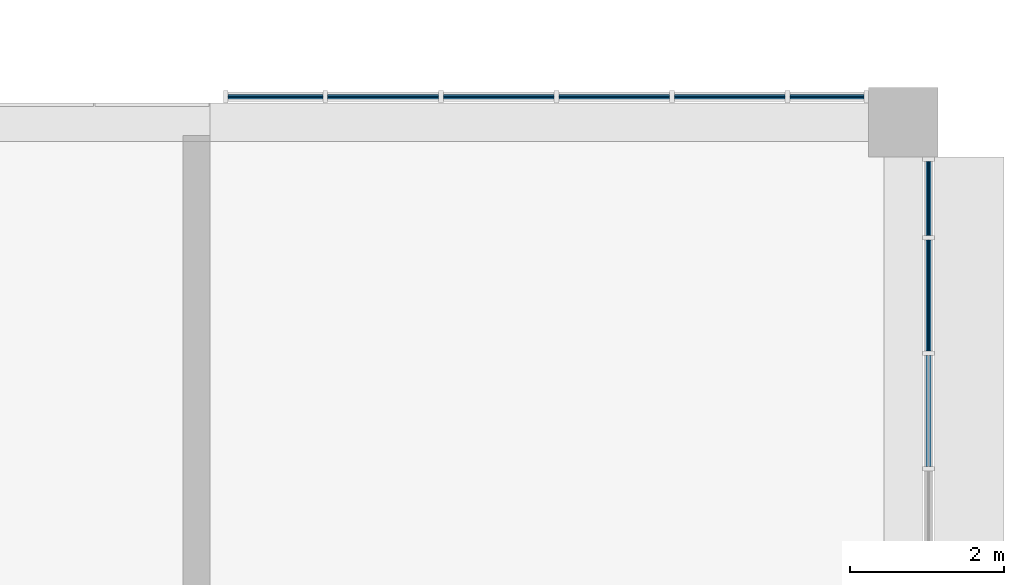
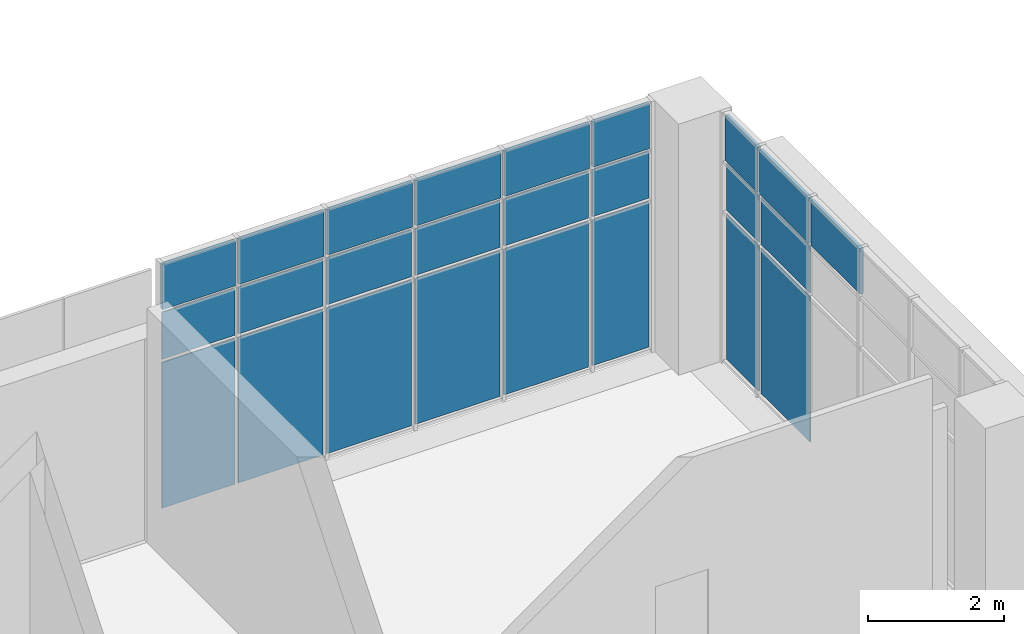
# One storey, part 25 of 45: 25 plates, 2 elements without a shape of their own.
"""IFC4 building model written with IfcOpenShell, lengths in metres."""

from ifc_helpers import new_model, si_unit, direction, frame, origin, origin_2d, place, context, subcontext, project, spatial, rectangle, extrude, material, layer, layer_set, type_object, element, aggregate, save


model = new_model("IFC4")

# Units and contexts
model_context = context("Model", 3, precision=1e-05, world=origin(), true_north=direction((0.0, 1.0)))
body_context = subcontext(model_context, "Body", "Model", "MODEL_VIEW")
ifc_project = project(units=[si_unit("LENGTHUNIT", "METRE"), si_unit("AREAUNIT", "SQUARE_METRE"), si_unit("VOLUMEUNIT", "CUBIC_METRE"), si_unit("PLANEANGLEUNIT", "RADIAN"), si_unit("MASSUNIT", "GRAM", prefix="KILO")], contexts=[model_context])

# Site, building, storey
site_placement = place(None, origin())
site = spatial("IfcSite", under=ifc_project, at=site_placement, CompositionType="ELEMENT")
building_placement = place(site_placement, origin())
building = spatial("IfcBuilding", under=site, at=building_placement, Name="Guidao Yard Department Store", CompositionType="ELEMENT")
storey_placement = place(building_placement, frame((0.0, 0.0, 19.5)))
storey = spatial("IfcBuildingStorey", under=building, at=storey_placement, Name="L04", CompositionType="ELEMENT", Elevation=19.5)

# Curtain wall, plates
ifc_material_1 = material(Name="Aluminium and glass", Category="aluminium")
ifc_layer_1 = layer(ifc_material_1, 0.159912109375)
ifc_layer_set_1 = layer_set([ifc_layer_1], Name="Unitised curtain wall CW4 1500 module")
curtain_wall_type = type_object("IfcCurtainWallType", Name="Unitised curtain wall CW4 1500 module", PredefinedType="NOTDEFINED", material=ifc_layer_set_1)
curtain_wall_1_placement = place(storey_placement, origin())
curtain_wall_1 = element("IfcCurtainWall", 1, at=curtain_wall_1_placement, inside=storey, type_object=curtain_wall_type, Name="Unitised curtain wall", PredefinedType="NOTDEFINED")
ifc_material_2 = material(Name="Aluminium 6063-T5 faced insulated spandrel", Category="aluminium")
ifc_layer_2 = layer(ifc_material_2, 0.06005859375)
ifc_layer_set_2 = layer_set([ifc_layer_2], Name="Spandrel panel SP1 insulated opaque")
plate_type_1 = type_object("IfcPlateType", Name="Spandrel panel SP1 insulated opaque", PredefinedType="CURTAIN_PANEL", material=ifc_layer_set_2)
plate_1_placement = place(storey_placement, frame((162.8525390625, 27.330078125, 3.6298828125), z_axis=(0.0, 0.0, 1.0), x_axis=(1.0, 0.0, 0.0)))
plate_1 = element("IfcPlate", 2, at=plate_1_placement, type_object=plate_type_1, Name="CW-OW-L04-08 panel 1.3", PredefinedType="CURTAIN_PANEL", context=body_context, shape_type="SweptSolid", body=[
    extrude(rectangle(XDim=1.235107421875, YDim=0.06005859375, at=origin_2d()), origin(), (0.0, 0.0, 1.0), 0.81005859375),
])
plate_2_placement = place(storey_placement, frame((164.25, 27.330078125, 3.6298828125), z_axis=(0.0, 0.0, 1.0), x_axis=(1.0, 0.0, 0.0)))
plate_2 = element("IfcPlate", 3, at=plate_2_placement, type_object=plate_type_1, Name="CW-OW-L04-08 panel 2.3", PredefinedType="CURTAIN_PANEL", context=body_context, shape_type="SweptSolid", body=[
    extrude(rectangle(XDim=1.43994140625, YDim=0.06005859375, at=origin_2d()), origin(), (0.0, 0.0, 1.0), 0.81005859375),
])
plate_3_placement = place(storey_placement, frame((165.75, 27.330078125, 3.6298828125), z_axis=(0.0, 0.0, 1.0), x_axis=(1.0, 0.0, 0.0)))
plate_3 = element("IfcPlate", 4, at=plate_3_placement, type_object=plate_type_1, Name="CW-OW-L04-08 panel 3.3", PredefinedType="CURTAIN_PANEL", context=body_context, shape_type="SweptSolid", body=[
    extrude(rectangle(XDim=1.43994140625, YDim=0.06005859375, at=origin_2d()), origin(), (0.0, 0.0, 1.0), 0.81005859375),
])
plate_4_placement = place(storey_placement, frame((167.25, 27.330078125, 3.6298828125), z_axis=(0.0, 0.0, 1.0), x_axis=(1.0, 0.0, 0.0)))
plate_4 = element("IfcPlate", 5, at=plate_4_placement, type_object=plate_type_1, Name="CW-OW-L04-08 panel 4.3", PredefinedType="CURTAIN_PANEL", context=body_context, shape_type="SweptSolid", body=[
    extrude(rectangle(XDim=1.43994140625, YDim=0.06005859375, at=origin_2d()), origin(), (0.0, 0.0, 1.0), 0.81005859375),
])
plate_5_placement = place(storey_placement, frame((168.75, 27.330078125, 3.6298828125), z_axis=(0.0, 0.0, 1.0), x_axis=(1.0, 0.0, 0.0)))
plate_5 = element("IfcPlate", 6, at=plate_5_placement, type_object=plate_type_1, Name="CW-OW-L04-08 panel 5.3", PredefinedType="CURTAIN_PANEL", context=body_context, shape_type="SweptSolid", body=[
    extrude(rectangle(XDim=1.43994140625, YDim=0.06005859375, at=origin_2d()), origin(), (0.0, 0.0, 1.0), 0.81005859375),
])
plate_6_placement = place(storey_placement, frame((170.010009765625, 27.330078125, 3.6298828125), z_axis=(0.0, 0.0, 1.0), x_axis=(1.0, 0.0, 0.0)))
plate_6 = element("IfcPlate", 7, at=plate_6_placement, type_object=plate_type_1, Name="CW-OW-L04-08 panel 6.3", PredefinedType="CURTAIN_PANEL", context=body_context, shape_type="SweptSolid", body=[
    extrude(rectangle(XDim=0.9599609375, YDim=0.06005859375, at=origin_2d()), origin(), (0.0, 0.0, 1.0), 0.81005859375),
])

curtain_wall_2_placement = place(storey_placement, origin())
curtain_wall_2 = element("IfcCurtainWall", 8, at=curtain_wall_2_placement, inside=storey, type_object=curtain_wall_type, Name="Unitised curtain wall", PredefinedType="NOTDEFINED")
plate_7_placement = place(storey_placement, frame((171.330078125, 23.25, 3.6298828125), z_axis=(0.0, 0.0, 1.0), x_axis=(0.0, -1.0, 0.0)))
plate_7 = element("IfcPlate", 9, at=plate_7_placement, type_object=plate_type_1, Name="CW-OW-L04-11 panel 4.3", PredefinedType="CURTAIN_PANEL", context=body_context, shape_type="SweptSolid", body=[
    extrude(rectangle(XDim=1.43994140625, YDim=0.06005859375, at=origin_2d()), origin(), (0.0, 0.0, 1.0), 0.81005859375),
])
plate_8_placement = place(storey_placement, frame((171.330078125, 24.75, 3.6298828125), z_axis=(0.0, 0.0, 1.0), x_axis=(0.0, -1.0, 0.0)))
plate_8 = element("IfcPlate", 10, at=plate_8_placement, type_object=plate_type_1, Name="CW-OW-L04-11 panel 5.3", PredefinedType="CURTAIN_PANEL", context=body_context, shape_type="SweptSolid", body=[
    extrude(rectangle(XDim=1.43994140625, YDim=0.06005859375, at=origin_2d()), origin(), (0.0, 0.0, 1.0), 0.81005859375),
])
plate_9_placement = place(storey_placement, frame((171.330078125, 26.010009765625, 3.6298828125), z_axis=(0.0, 0.0, 1.0), x_axis=(0.0, -1.0, 0.0)))
plate_9 = element("IfcPlate", 11, at=plate_9_placement, type_object=plate_type_1, Name="CW-OW-L04-11 panel 6.3", PredefinedType="CURTAIN_PANEL", context=body_context, shape_type="SweptSolid", body=[
    extrude(rectangle(XDim=0.9599609375, YDim=0.06005859375, at=origin_2d()), origin(), (0.0, 0.0, 1.0), 0.81005859375),
])

# Plate
ifc_material_3 = material(Name="Laminated heat-soaked tempered glass", Category="glass")
ifc_layer_3 = layer(ifc_material_3, 0.017578125)
ifc_layer_set_3 = layer_set([ifc_layer_3], Name="Vision glass VG1 laminated heat-soaked tempered 8+8")
plate_type_2 = type_object("IfcPlateType", Name="Vision glass VG1 laminated heat-soaked tempered 8+8", PredefinedType="CURTAIN_PANEL", material=ifc_layer_set_3)
plate_10_placement = place(storey_placement, frame((162.8525390625, 27.330078125, 0.06005859375), z_axis=(0.0, 0.0, 1.0), x_axis=(1.0, 0.0, 0.0)))
plate_10 = element("IfcPlate", 12, at=plate_10_placement, type_object=plate_type_2, Name="CW-OW-L04-08 panel 1.1", PredefinedType="CURTAIN_PANEL", context=body_context, shape_type="SweptSolid", body=[
    extrude(rectangle(XDim=1.235107421875, YDim=0.017578125, at=origin_2d()), origin(), (0.0, 0.0, 1.0), 2.610107421875),
])

plate_11_placement = place(storey_placement, frame((162.8525390625, 27.330078125, 2.72998046875), z_axis=(0.0, 0.0, 1.0), x_axis=(1.0, 0.0, 0.0)))
plate_11 = element("IfcPlate", 13, at=plate_11_placement, type_object=plate_type_2, Name="CW-OW-L04-08 panel 1.2", PredefinedType="CURTAIN_PANEL", context=body_context, shape_type="SweptSolid", body=[
    extrude(rectangle(XDim=1.235107421875, YDim=0.017578125, at=origin_2d()), origin(), (0.0, 0.0, 1.0), 0.840087890625),
])

plate_12_placement = place(storey_placement, frame((164.25, 27.330078125, 0.06005859375), z_axis=(0.0, 0.0, 1.0), x_axis=(1.0, 0.0, 0.0)))
plate_12 = element("IfcPlate", 14, at=plate_12_placement, type_object=plate_type_2, Name="CW-OW-L04-08 panel 2.1", PredefinedType="CURTAIN_PANEL", context=body_context, shape_type="SweptSolid", body=[
    extrude(rectangle(XDim=1.43994140625, YDim=0.017578125, at=origin_2d()), origin(), (0.0, 0.0, 1.0), 2.610107421875),
])

plate_13_placement = place(storey_placement, frame((164.25, 27.330078125, 2.72998046875), z_axis=(0.0, 0.0, 1.0), x_axis=(1.0, 0.0, 0.0)))
plate_13 = element("IfcPlate", 15, at=plate_13_placement, type_object=plate_type_2, Name="CW-OW-L04-08 panel 2.2", PredefinedType="CURTAIN_PANEL", context=body_context, shape_type="SweptSolid", body=[
    extrude(rectangle(XDim=1.43994140625, YDim=0.017578125, at=origin_2d()), origin(), (0.0, 0.0, 1.0), 0.840087890625),
])

plate_14_placement = place(storey_placement, frame((165.75, 27.330078125, 0.06005859375), z_axis=(0.0, 0.0, 1.0), x_axis=(1.0, 0.0, 0.0)))
plate_14 = element("IfcPlate", 16, at=plate_14_placement, type_object=plate_type_2, Name="CW-OW-L04-08 panel 3.1", PredefinedType="CURTAIN_PANEL", context=body_context, shape_type="SweptSolid", body=[
    extrude(rectangle(XDim=1.43994140625, YDim=0.017578125, at=origin_2d()), origin(), (0.0, 0.0, 1.0), 2.610107421875),
])

plate_15_placement = place(storey_placement, frame((165.75, 27.330078125, 2.72998046875), z_axis=(0.0, 0.0, 1.0), x_axis=(1.0, 0.0, 0.0)))
plate_15 = element("IfcPlate", 17, at=plate_15_placement, type_object=plate_type_2, Name="CW-OW-L04-08 panel 3.2", PredefinedType="CURTAIN_PANEL", context=body_context, shape_type="SweptSolid", body=[
    extrude(rectangle(XDim=1.43994140625, YDim=0.017578125, at=origin_2d()), origin(), (0.0, 0.0, 1.0), 0.840087890625),
])

plate_16_placement = place(storey_placement, frame((167.25, 27.330078125, 0.06005859375), z_axis=(0.0, 0.0, 1.0), x_axis=(1.0, 0.0, 0.0)))
plate_16 = element("IfcPlate", 18, at=plate_16_placement, type_object=plate_type_2, Name="CW-OW-L04-08 panel 4.1", PredefinedType="CURTAIN_PANEL", context=body_context, shape_type="SweptSolid", body=[
    extrude(rectangle(XDim=1.43994140625, YDim=0.017578125, at=origin_2d()), origin(), (0.0, 0.0, 1.0), 2.610107421875),
])

plate_17_placement = place(storey_placement, frame((167.25, 27.330078125, 2.72998046875), z_axis=(0.0, 0.0, 1.0), x_axis=(1.0, 0.0, 0.0)))
plate_17 = element("IfcPlate", 19, at=plate_17_placement, type_object=plate_type_2, Name="CW-OW-L04-08 panel 4.2", PredefinedType="CURTAIN_PANEL", context=body_context, shape_type="SweptSolid", body=[
    extrude(rectangle(XDim=1.43994140625, YDim=0.017578125, at=origin_2d()), origin(), (0.0, 0.0, 1.0), 0.840087890625),
])

plate_18_placement = place(storey_placement, frame((168.75, 27.330078125, 0.06005859375), z_axis=(0.0, 0.0, 1.0), x_axis=(1.0, 0.0, 0.0)))
plate_18 = element("IfcPlate", 20, at=plate_18_placement, type_object=plate_type_2, Name="CW-OW-L04-08 panel 5.1", PredefinedType="CURTAIN_PANEL", context=body_context, shape_type="SweptSolid", body=[
    extrude(rectangle(XDim=1.43994140625, YDim=0.017578125, at=origin_2d()), origin(), (0.0, 0.0, 1.0), 2.610107421875),
])

plate_19_placement = place(storey_placement, frame((168.75, 27.330078125, 2.72998046875), z_axis=(0.0, 0.0, 1.0), x_axis=(1.0, 0.0, 0.0)))
plate_19 = element("IfcPlate", 21, at=plate_19_placement, type_object=plate_type_2, Name="CW-OW-L04-08 panel 5.2", PredefinedType="CURTAIN_PANEL", context=body_context, shape_type="SweptSolid", body=[
    extrude(rectangle(XDim=1.43994140625, YDim=0.017578125, at=origin_2d()), origin(), (0.0, 0.0, 1.0), 0.840087890625),
])

plate_20_placement = place(storey_placement, frame((170.010009765625, 27.330078125, 0.06005859375), z_axis=(0.0, 0.0, 1.0), x_axis=(1.0, 0.0, 0.0)))
plate_20 = element("IfcPlate", 22, at=plate_20_placement, type_object=plate_type_2, Name="CW-OW-L04-08 panel 6.1", PredefinedType="CURTAIN_PANEL", context=body_context, shape_type="SweptSolid", body=[
    extrude(rectangle(XDim=0.9599609375, YDim=0.017578125, at=origin_2d()), origin(), (0.0, 0.0, 1.0), 2.610107421875),
])

plate_21_placement = place(storey_placement, frame((170.010009765625, 27.330078125, 2.72998046875), z_axis=(0.0, 0.0, 1.0), x_axis=(1.0, 0.0, 0.0)))
plate_21 = element("IfcPlate", 23, at=plate_21_placement, type_object=plate_type_2, Name="CW-OW-L04-08 panel 6.2", PredefinedType="CURTAIN_PANEL", context=body_context, shape_type="SweptSolid", body=[
    extrude(rectangle(XDim=0.9599609375, YDim=0.017578125, at=origin_2d()), origin(), (0.0, 0.0, 1.0), 0.840087890625),
])

aggregate(curtain_wall_1, [plate_10, plate_11, plate_1, plate_12, plate_13, plate_2, plate_14, plate_15, plate_3, plate_16, plate_17, plate_4, plate_18, plate_19, plate_5, plate_20, plate_21, plate_6])

plate_22_placement = place(storey_placement, frame((171.330078125, 24.75, 0.06005859375), z_axis=(0.0, 0.0, 1.0), x_axis=(0.0, -1.0, 0.0)))
plate_22 = element("IfcPlate", 24, at=plate_22_placement, type_object=plate_type_2, Name="CW-OW-L04-11 panel 5.1", PredefinedType="CURTAIN_PANEL", context=body_context, shape_type="SweptSolid", body=[
    extrude(rectangle(XDim=1.43994140625, YDim=0.017578125, at=origin_2d()), origin(), (0.0, 0.0, 1.0), 2.610107421875),
])

plate_23_placement = place(storey_placement, frame((171.330078125, 24.75, 2.72998046875), z_axis=(0.0, 0.0, 1.0), x_axis=(0.0, -1.0, 0.0)))
plate_23 = element("IfcPlate", 25, at=plate_23_placement, type_object=plate_type_2, Name="CW-OW-L04-11 panel 5.2", PredefinedType="CURTAIN_PANEL", context=body_context, shape_type="SweptSolid", body=[
    extrude(rectangle(XDim=1.43994140625, YDim=0.017578125, at=origin_2d()), origin(), (0.0, 0.0, 1.0), 0.840087890625),
])

plate_24_placement = place(storey_placement, frame((171.330078125, 26.010009765625, 0.06005859375), z_axis=(0.0, 0.0, 1.0), x_axis=(0.0, -1.0, 0.0)))
plate_24 = element("IfcPlate", 26, at=plate_24_placement, type_object=plate_type_2, Name="CW-OW-L04-11 panel 6.1", PredefinedType="CURTAIN_PANEL", context=body_context, shape_type="SweptSolid", body=[
    extrude(rectangle(XDim=0.9599609375, YDim=0.017578125, at=origin_2d()), origin(), (0.0, 0.0, 1.0), 2.610107421875),
])

plate_25_placement = place(storey_placement, frame((171.330078125, 26.010009765625, 2.72998046875), z_axis=(0.0, 0.0, 1.0), x_axis=(0.0, -1.0, 0.0)))
plate_25 = element("IfcPlate", 27, at=plate_25_placement, type_object=plate_type_2, Name="CW-OW-L04-11 panel 6.2", PredefinedType="CURTAIN_PANEL", context=body_context, shape_type="SweptSolid", body=[
    extrude(rectangle(XDim=0.9599609375, YDim=0.017578125, at=origin_2d()), origin(), (0.0, 0.0, 1.0), 0.840087890625),
])

aggregate(curtain_wall_2, [plate_7, plate_22, plate_23, plate_8, plate_24, plate_25, plate_9])

save(model, "model.ifc")
